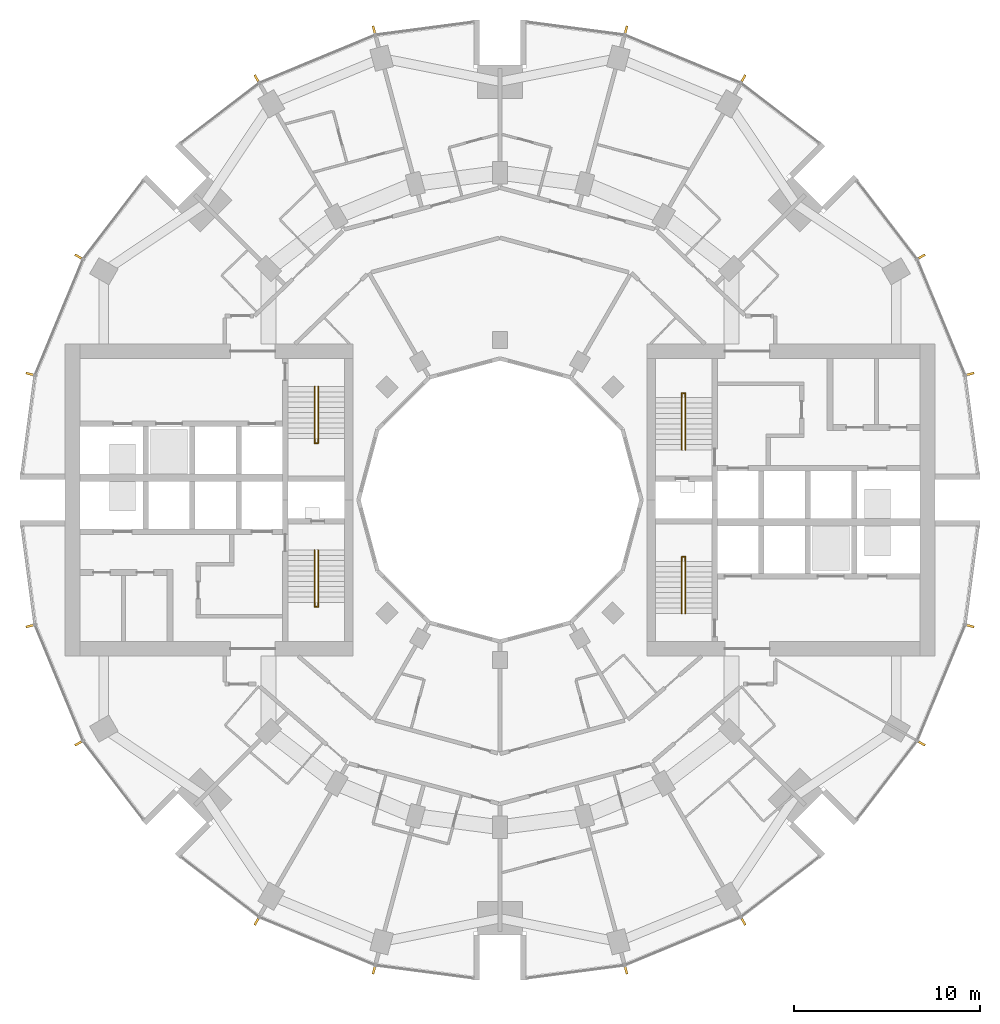
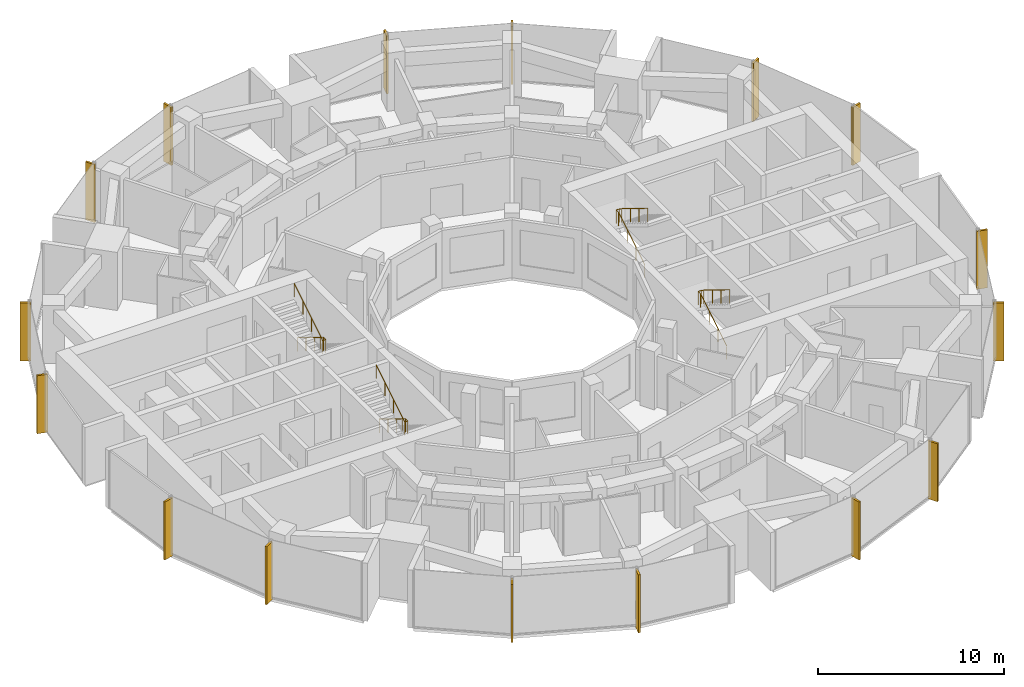
# One storey, part 14 of 15: 16 shading devices, 4 railings.
"""IFC4 building model written with IfcOpenShell, lengths in metres."""

from ifc_helpers import new_model, si_unit, direction, frame, origin, origin_2d, place, context, subcontext, project, spatial, rectangle, circle, extrude, material, material_profile, profile_set, type_object, element, save


model = new_model("IFC4")

# Units and contexts
model_context = context("Model", 3, precision=1e-05, world=origin(), true_north=direction((0.0, 1.0)))
body_context = subcontext(model_context, "Body", "Model", "MODEL_VIEW")
ifc_project = project(units=[si_unit("LENGTHUNIT", "METRE"), si_unit("AREAUNIT", "SQUARE_METRE"), si_unit("VOLUMEUNIT", "CUBIC_METRE"), si_unit("PLANEANGLEUNIT", "RADIAN"), si_unit("MASSUNIT", "GRAM", prefix="KILO")], contexts=[model_context])

# Site, building, storey
site_placement = place(None, origin())
site = spatial("IfcSite", under=ifc_project, at=site_placement, CompositionType="ELEMENT")
building_placement = place(site_placement, origin())
building = spatial("IfcBuilding", under=site, at=building_placement, Name="Torre Brocal", CompositionType="ELEMENT")
storey_placement = place(building_placement, frame((0.0, 0.0, 40.199951171875)))
storey = spatial("IfcBuildingStorey", under=building, at=storey_placement, Name="L08", CompositionType="ELEMENT", Elevation=40.199951171875)

# Shading devices
ifc_material_1 = material(Name="Aluminium, black anodised", Category="aluminium")
ifc_material_profile = material_profile(ifc_material_1, rectangle(XDim=0.1201171875, YDim=0.60009765625, at=origin_2d()), Name="FIN 120X600 3800 HIGH")
ifc_profile_set = profile_set([ifc_material_profile], Name="Aluminium, black anodised")
shading_device_type = type_object("IfcShadingDeviceType", Name="FIN 120X600 3800 HIGH", PredefinedType="USERDEFINED", material=ifc_profile_set)
for number, where, z_axis, x_axis, name in (
    (1, (105.208984375, 81.754638671875, -0.14990234375), (0.0, 0.0, 1.0), (-0.258819045103, 0.965925826289, 0.0), "FIN"),
    (2, (102.601806640625, 88.049072265625, -0.14990234375), (0.0, 0.0, 1.0), (-0.5, 0.866025403784, 0.0), "FIN"),
    (3, (93.049072265625, 97.601806640625, -0.14990234375), (0.0, 0.0, 1.0), (-0.866025403784, 0.5, 0.0), "FIN"),
    (4, (86.754638671875, 100.208984375, -0.14990234375), (0.0, 0.0, 1.0), (-0.965925826289, 0.258819045103, 0.0), "FIN"),
    (5, (73.245361328125, 100.208984375, -0.14990234375), (0.0, 0.0, 1.0), (-0.965925826289, -0.258819045103, 0.0), "FIN"),
    (6, (66.950927734375, 97.601806640625, -0.14990234375), (0.0, 0.0, 1.0), (-0.866025403784, -0.5, 0.0), "FIN"),
    (7, (57.398193359375, 88.049072265625, -0.14990234375), (0.0, 0.0, 1.0), (-0.5, -0.866025403784, 0.0), "FIN"),
    (8, (54.791015625, 81.754638671875, -0.14990234375), (0.0, 0.0, 1.0), (-0.258819045103, -0.965925826289, 0.0), "FIN"),
    (9, (54.791015625, 68.245361328125, -0.14990234375), (0.0, 0.0, 1.0), (0.258819045103, -0.965925826289, 0.0), "FIN"),
    (10, (57.398193359375, 61.950927734375, -0.14990234375), (0.0, 0.0, 1.0), (0.5, -0.866025403784, 0.0), "FIN"),
    (11, (66.950927734375, 52.398193359375, -0.14990234375), (0.0, 0.0, 1.0), (0.866025403784, -0.5, 0.0), "FIN"),
    (12, (73.245361328125, 49.791015625, -0.14990234375), (0.0, 0.0, 1.0), (0.965925826289, -0.258819045103, 0.0), "FIN"),
    (13, (86.754638671875, 49.791015625, -0.14990234375), (0.0, 0.0, 1.0), (0.965925826289, 0.258819045103, 0.0), "FIN"),
    (14, (93.049072265625, 52.398193359375, -0.14990234375), (0.0, 0.0, 1.0), (0.866025403784, 0.5, 0.0), "FIN"),
    (15, (102.601806640625, 61.950927734375, -0.14990234375), (0.0, 0.0, 1.0), (0.5, 0.866025403784, 0.0), "FIN"),
    (16, (105.208984375, 68.245361328125, -0.14990234375), (0.0, 0.0, 1.0), (0.258819045103, 0.965925826289, 0.0), "FIN"),
):
    element("IfcShadingDevice", number, at=place(storey_placement, frame(where, z_axis=z_axis, x_axis=x_axis)), inside=storey, type_object=shading_device_type, Name=name, ObjectType="FIN", PredefinedType="USERDEFINED", context=body_context, shape_type="SweptSolid", body=[
        extrude(rectangle(XDim=0.1201171875, YDim=0.60009765625, at=origin_2d()), origin(), (0.0, 0.0, 1.0), 3.800048828125),
    ])

# Railings
ifc_material_2 = material(Name="Stainless steel AISI 316", Category="steel")
railing_type = type_object("IfcRailingType", Name="STAIR HANDRAIL", PredefinedType="HANDRAIL", material=ifc_material_2)
railing_1_placement = place(storey_placement, frame((89.780029296875, 77.699951171875, 0.1728515625)))
element("IfcRailing", 17, at=railing_1_placement, inside=storey, type_object=railing_type, Name="HANDRAIL ST1", PredefinedType="HANDRAIL", context=body_context, shape_type="SweptSolid", body=[
    extrude(circle(Radius=0.02392578125, at=origin_2d()), frame((0.0, 0.0, 0.8759765625), z_axis=(0.0, 0.851089632645, 0.525020415988), x_axis=(-1.0, 0.0, 0.0)), (0.0, 0.0, 1.0), 3.2900390625),
    extrude(circle(Radius=0.02392578125, at=origin_2d()), frame((0.0, 2.800048828125, 2.60302734375), z_axis=(0.0, 1.0, 0.0), x_axis=(-1.0, 0.0, 0.0)), (0.0, 0.0, 1.0), 0.25),
    extrude(circle(Radius=0.02392578125, at=origin_2d()), frame((0.0, 3.050048828125, 2.60302734375), z_axis=(1.0, 0.0, 0.0), x_axis=(0.0, 1.0, 0.0)), (0.0, 0.0, 1.0), 0.18994140625),
    extrude(circle(Radius=0.02392578125, at=origin_2d()), frame((0.18994140625, 3.050048828125, 2.60302734375), z_axis=(0.0, -0.822914792866, 0.568164803277), x_axis=(1.0, 0.0, 0.0)), (0.0, 0.0, 1.0), 0.3037109375),
    extrude(circle(Radius=0.02392578125, at=origin_2d()), frame((0.18994140625, 2.800048828125, 2.77587890625), z_axis=(0.0, -0.851089632645, 0.525020415988), x_axis=(1.0, 0.0, 0.0)), (0.0, 0.0, 1.0), 3.2900390625),
    extrude(circle(Radius=0.02099609375, at=origin_2d()), origin(), (0.0, 0.0, 1.0), 0.851806640625),
    extrude(circle(Radius=0.02099609375, at=origin_2d()), frame((0.0, 0.933349609375, 0.57568359375)), (0.0, 0.0, 1.0), 0.851806640625),
    extrude(circle(Radius=0.02099609375, at=origin_2d()), frame((0.0, 1.86669921875, 1.151611328125)), (0.0, 0.0, 1.0), 0.851806640625),
    extrude(circle(Radius=0.02099609375, at=origin_2d()), frame((0.0, 2.800048828125, 1.727294921875)), (0.0, 0.0, 1.0), 0.851806640625),
    extrude(circle(Radius=0.02099609375, at=origin_2d()), frame((0.0, 3.050048828125, 1.727294921875)), (0.0, 0.0, 1.0), 0.851806640625),
    extrude(circle(Radius=0.02099609375, at=origin_2d()), frame((0.18994140625, 3.050048828125, 1.727294921875)), (0.0, 0.0, 1.0), 0.851806640625),
    extrude(circle(Radius=0.02099609375, at=origin_2d()), frame((0.18994140625, 2.800048828125, 1.89990234375)), (0.0, 0.0, 1.0), 0.851806640625),
    extrude(circle(Radius=0.02099609375, at=origin_2d()), frame((0.18994140625, 1.86669921875, 2.4755859375)), (0.0, 0.0, 1.0), 0.851806640625),
    extrude(circle(Radius=0.02099609375, at=origin_2d()), frame((0.18994140625, 0.933349609375, 3.051513671875)), (0.0, 0.0, 1.0), 0.851806640625),
    extrude(circle(Radius=0.02099609375, at=origin_2d()), frame((0.18994140625, 0.0, 3.627197265625)), (0.0, 0.0, 1.0), 0.851806640625),
])
railing_2_placement = place(storey_placement, frame((89.780029296875, 68.89990234375, 0.1728515625)))
element("IfcRailing", 18, at=railing_2_placement, inside=storey, type_object=railing_type, Name="HANDRAIL ST2", PredefinedType="HANDRAIL", context=body_context, shape_type="SweptSolid", body=[
    extrude(circle(Radius=0.02392578125, at=origin_2d()), frame((0.0, 0.0, 0.8759765625), z_axis=(0.0, 0.851089632645, 0.525020415988), x_axis=(-1.0, 0.0, 0.0)), (0.0, 0.0, 1.0), 3.2900390625),
    extrude(circle(Radius=0.02392578125, at=origin_2d()), frame((0.0, 2.800048828125, 2.60302734375), z_axis=(0.0, 1.0, 0.0), x_axis=(-1.0, 0.0, 0.0)), (0.0, 0.0, 1.0), 0.25),
    extrude(circle(Radius=0.02392578125, at=origin_2d()), frame((0.0, 3.050048828125, 2.60302734375), z_axis=(1.0, 0.0, 0.0), x_axis=(0.0, 1.0, 0.0)), (0.0, 0.0, 1.0), 0.18994140625),
    extrude(circle(Radius=0.02392578125, at=origin_2d()), frame((0.18994140625, 3.050048828125, 2.60302734375), z_axis=(0.0, -0.822914792866, 0.568164803277), x_axis=(1.0, 0.0, 0.0)), (0.0, 0.0, 1.0), 0.3037109375),
    extrude(circle(Radius=0.02392578125, at=origin_2d()), frame((0.18994140625, 2.800048828125, 2.77587890625), z_axis=(0.0, -0.851089632645, 0.525020415988), x_axis=(1.0, 0.0, 0.0)), (0.0, 0.0, 1.0), 3.2900390625),
    extrude(circle(Radius=0.02099609375, at=origin_2d()), origin(), (0.0, 0.0, 1.0), 0.851806640625),
    extrude(circle(Radius=0.02099609375, at=origin_2d()), frame((0.0, 0.933349609375, 0.57568359375)), (0.0, 0.0, 1.0), 0.851806640625),
    extrude(circle(Radius=0.02099609375, at=origin_2d()), frame((0.0, 1.86669921875, 1.151611328125)), (0.0, 0.0, 1.0), 0.851806640625),
    extrude(circle(Radius=0.02099609375, at=origin_2d()), frame((0.0, 2.800048828125, 1.727294921875)), (0.0, 0.0, 1.0), 0.851806640625),
    extrude(circle(Radius=0.02099609375, at=origin_2d()), frame((0.0, 3.050048828125, 1.727294921875)), (0.0, 0.0, 1.0), 0.851806640625),
    extrude(circle(Radius=0.02099609375, at=origin_2d()), frame((0.18994140625, 3.050048828125, 1.727294921875)), (0.0, 0.0, 1.0), 0.851806640625),
    extrude(circle(Radius=0.02099609375, at=origin_2d()), frame((0.18994140625, 2.800048828125, 1.89990234375)), (0.0, 0.0, 1.0), 0.851806640625),
    extrude(circle(Radius=0.02099609375, at=origin_2d()), frame((0.18994140625, 1.86669921875, 2.4755859375)), (0.0, 0.0, 1.0), 0.851806640625),
    extrude(circle(Radius=0.02099609375, at=origin_2d()), frame((0.18994140625, 0.933349609375, 3.051513671875)), (0.0, 0.0, 1.0), 0.851806640625),
    extrude(circle(Radius=0.02099609375, at=origin_2d()), frame((0.18994140625, 0.0, 3.627197265625)), (0.0, 0.0, 1.0), 0.851806640625),
])
railing_3_placement = place(storey_placement, frame((70.219970703125, 72.300048828125, 0.1728515625)))
element("IfcRailing", 19, at=railing_3_placement, inside=storey, type_object=railing_type, Name="HANDRAIL ST3", PredefinedType="HANDRAIL", context=body_context, shape_type="SweptSolid", body=[
    extrude(circle(Radius=0.02392578125, at=origin_2d()), frame((0.0, 0.0, 0.8759765625), z_axis=(0.0, -0.851089632645, 0.525020415988), x_axis=(1.0, 0.0, 0.0)), (0.0, 0.0, 1.0), 3.2900390625),
    extrude(circle(Radius=0.02392578125, at=origin_2d()), frame((0.0, -2.800048828125, 2.60302734375), z_axis=(0.0, -1.0, 0.0), x_axis=(1.0, 0.0, 0.0)), (0.0, 0.0, 1.0), 0.25),
    extrude(circle(Radius=0.02392578125, at=origin_2d()), frame((0.0, -3.050048828125, 2.60302734375), z_axis=(-1.0, 0.0, 0.0), x_axis=(0.0, -1.0, 0.0)), (0.0, 0.0, 1.0), 0.18994140625),
    extrude(circle(Radius=0.02392578125, at=origin_2d()), frame((-0.18994140625, -3.050048828125, 2.60302734375), z_axis=(0.0, 0.822914792866, 0.568164803277), x_axis=(-1.0, 0.0, 0.0)), (0.0, 0.0, 1.0), 0.3037109375),
    extrude(circle(Radius=0.02392578125, at=origin_2d()), frame((-0.18994140625, -2.800048828125, 2.77587890625), z_axis=(0.0, 0.851089632645, 0.525020415988), x_axis=(-1.0, 0.0, 0.0)), (0.0, 0.0, 1.0), 3.2900390625),
    extrude(circle(Radius=0.02099609375, at=origin_2d()), origin(), (0.0, 0.0, 1.0), 0.851806640625),
    extrude(circle(Radius=0.02099609375, at=origin_2d()), frame((0.0, -0.933349609375, 0.57568359375)), (0.0, 0.0, 1.0), 0.851806640625),
    extrude(circle(Radius=0.02099609375, at=origin_2d()), frame((0.0, -1.86669921875, 1.151611328125)), (0.0, 0.0, 1.0), 0.851806640625),
    extrude(circle(Radius=0.02099609375, at=origin_2d()), frame((0.0, -2.800048828125, 1.727294921875)), (0.0, 0.0, 1.0), 0.851806640625),
    extrude(circle(Radius=0.02099609375, at=origin_2d()), frame((0.0, -3.050048828125, 1.727294921875)), (0.0, 0.0, 1.0), 0.851806640625),
    extrude(circle(Radius=0.02099609375, at=origin_2d()), frame((-0.18994140625, -3.050048828125, 1.727294921875)), (0.0, 0.0, 1.0), 0.851806640625),
    extrude(circle(Radius=0.02099609375, at=origin_2d()), frame((-0.18994140625, -2.800048828125, 1.89990234375)), (0.0, 0.0, 1.0), 0.851806640625),
    extrude(circle(Radius=0.02099609375, at=origin_2d()), frame((-0.18994140625, -1.86669921875, 2.4755859375)), (0.0, 0.0, 1.0), 0.851806640625),
    extrude(circle(Radius=0.02099609375, at=origin_2d()), frame((-0.18994140625, -0.933349609375, 3.051513671875)), (0.0, 0.0, 1.0), 0.851806640625),
    extrude(circle(Radius=0.02099609375, at=origin_2d()), frame((-0.18994140625, 0.0, 3.627197265625)), (0.0, 0.0, 1.0), 0.851806640625),
])
railing_4_placement = place(storey_placement, frame((70.219970703125, 81.10009765625, 0.1728515625)))
element("IfcRailing", 20, at=railing_4_placement, inside=storey, type_object=railing_type, Name="HANDRAIL ST4", PredefinedType="HANDRAIL", context=body_context, shape_type="SweptSolid", body=[
    extrude(circle(Radius=0.02392578125, at=origin_2d()), frame((0.0, 0.0, 0.8759765625), z_axis=(0.0, -0.851089632645, 0.525020415988), x_axis=(1.0, 0.0, 0.0)), (0.0, 0.0, 1.0), 3.2900390625),
    extrude(circle(Radius=0.02392578125, at=origin_2d()), frame((0.0, -2.800048828125, 2.60302734375), z_axis=(0.0, -1.0, 0.0), x_axis=(1.0, 0.0, 0.0)), (0.0, 0.0, 1.0), 0.25),
    extrude(circle(Radius=0.02392578125, at=origin_2d()), frame((0.0, -3.050048828125, 2.60302734375), z_axis=(-1.0, 0.0, 0.0), x_axis=(0.0, -1.0, 0.0)), (0.0, 0.0, 1.0), 0.18994140625),
    extrude(circle(Radius=0.02392578125, at=origin_2d()), frame((-0.18994140625, -3.050048828125, 2.60302734375), z_axis=(0.0, 0.822914792866, 0.568164803277), x_axis=(-1.0, 0.0, 0.0)), (0.0, 0.0, 1.0), 0.3037109375),
    extrude(circle(Radius=0.02392578125, at=origin_2d()), frame((-0.18994140625, -2.800048828125, 2.77587890625), z_axis=(0.0, 0.851089632645, 0.525020415988), x_axis=(-1.0, 0.0, 0.0)), (0.0, 0.0, 1.0), 3.2900390625),
    extrude(circle(Radius=0.02099609375, at=origin_2d()), origin(), (0.0, 0.0, 1.0), 0.851806640625),
    extrude(circle(Radius=0.02099609375, at=origin_2d()), frame((0.0, -0.933349609375, 0.57568359375)), (0.0, 0.0, 1.0), 0.851806640625),
    extrude(circle(Radius=0.02099609375, at=origin_2d()), frame((0.0, -1.86669921875, 1.151611328125)), (0.0, 0.0, 1.0), 0.851806640625),
    extrude(circle(Radius=0.02099609375, at=origin_2d()), frame((0.0, -2.800048828125, 1.727294921875)), (0.0, 0.0, 1.0), 0.851806640625),
    extrude(circle(Radius=0.02099609375, at=origin_2d()), frame((0.0, -3.050048828125, 1.727294921875)), (0.0, 0.0, 1.0), 0.851806640625),
    extrude(circle(Radius=0.02099609375, at=origin_2d()), frame((-0.18994140625, -3.050048828125, 1.727294921875)), (0.0, 0.0, 1.0), 0.851806640625),
    extrude(circle(Radius=0.02099609375, at=origin_2d()), frame((-0.18994140625, -2.800048828125, 1.89990234375)), (0.0, 0.0, 1.0), 0.851806640625),
    extrude(circle(Radius=0.02099609375, at=origin_2d()), frame((-0.18994140625, -1.86669921875, 2.4755859375)), (0.0, 0.0, 1.0), 0.851806640625),
    extrude(circle(Radius=0.02099609375, at=origin_2d()), frame((-0.18994140625, -0.933349609375, 3.051513671875)), (0.0, 0.0, 1.0), 0.851806640625),
    extrude(circle(Radius=0.02099609375, at=origin_2d()), frame((-0.18994140625, 0.0, 3.627197265625)), (0.0, 0.0, 1.0), 0.851806640625),
])

save(model, "model.ifc")
